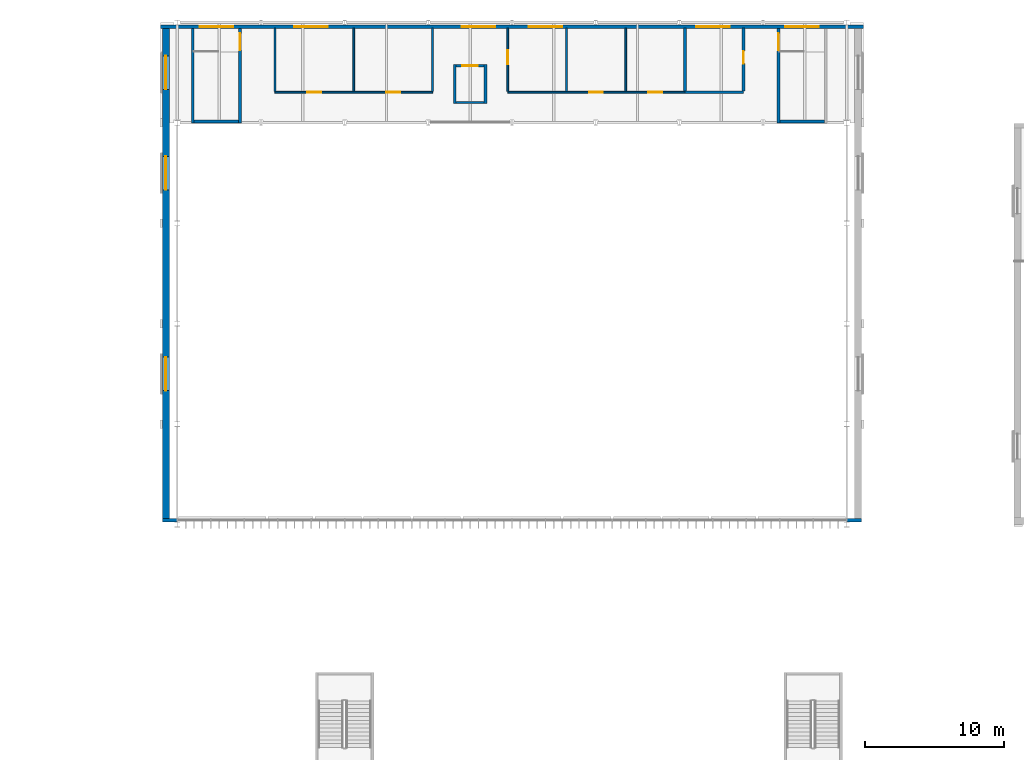
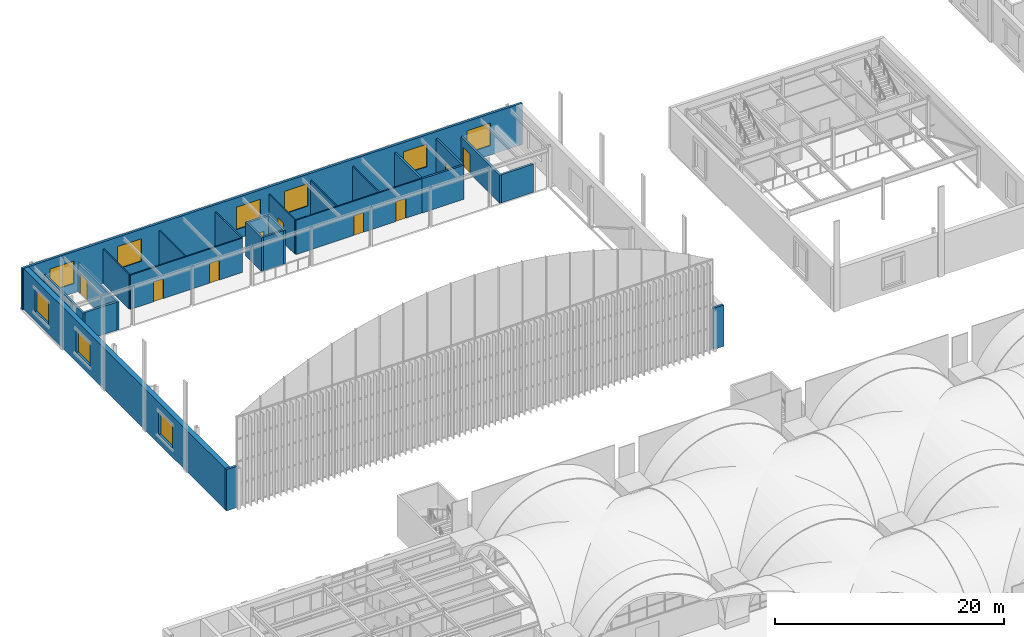
# One storey, part 100 of 169: 24 walls, 9 doors, 9 windows, 18 openings.
"""IFC4 building model written with IfcOpenShell, lengths in metres."""

from ifc_helpers import new_model, si_unit, direction, frame, frame_2d, origin, place, context, subcontext, project, spatial, rectangle, extrude, material, layer, layer_set, type_object, element, fill, save


model = new_model("IFC4")

# Units and contexts
model_context = context("Model", 3, precision=1e-05, world=origin(), true_north=direction((0.0, 1.0)))
body_context = subcontext(model_context, "Body", "Model", "MODEL_VIEW")
ifc_project = project(units=[si_unit("LENGTHUNIT", "METRE"), si_unit("AREAUNIT", "SQUARE_METRE"), si_unit("VOLUMEUNIT", "CUBIC_METRE"), si_unit("PLANEANGLEUNIT", "RADIAN"), si_unit("MASSUNIT", "GRAM", prefix="KILO")], contexts=[model_context])

# Site, building, storey
site_placement = place(None, origin())
site = spatial("IfcSite", under=ifc_project, at=site_placement, CompositionType="ELEMENT")
building_placement = place(site_placement, origin())
building = spatial("IfcBuilding", under=site, at=building_placement, Name="Verrick Yard Athletic Hall", CompositionType="ELEMENT")
storey_placement = place(building_placement, frame((0.0, 0.0, 4.39990234375)))
storey = spatial("IfcBuildingStorey", under=building, at=storey_placement, Name="L01", CompositionType="ELEMENT", Elevation=4.39990234375)

# Wall, opening, door
ifc_material_1 = material(Name="Concrete 35 MPa", Category="concrete")
ifc_layer_1 = layer(ifc_material_1, 0.199951171875)
ifc_layer_set_1 = layer_set([ifc_layer_1], Name="Enclosure wall CR200")
wall_type_1 = type_object("IfcWallType", Name="Enclosure wall CR200", PredefinedType="SOLIDWALL", material=ifc_layer_set_1)
wall_1_placement = place(storey_placement, frame((71.10009765625, 100.800048828125, 0.0), z_axis=(0.0, 0.0, 1.0), x_axis=(0.0, 1.0, 0.0)))
wall_1 = element("IfcWall", 1, at=wall_1_placement, inside=storey, type_object=wall_type_1, Name="CORE-HB-E-WW-L01", PredefinedType="SOLIDWALL", context=body_context, shape_type="SweptSolid", body=[
    extrude(rectangle(XDim=6.782958984375, YDim=0.199951171875, at=frame_2d((3.3916015625, 0.0))), origin(), (0.0, 0.0, 1.0), 3.0),
])
opening_1_placement = place(wall_1_placement, frame((5.22509765625, 0.0, 0.0)))
opening_1 = element("IfcOpeningElement", 2, at=opening_1_placement, cuts=wall_1, Name="Opening SD1", PredefinedType="OPENING", context=body_context, shape_type="SweptSolid", body=[
    extrude(rectangle(XDim=1.199951171875, YDim=2.10009765625, at=frame_2d((0.60009765625, 1.050048828125))), frame((0.0, 0.10986328125, 0.0), z_axis=(0.0, -1.0, 0.0), x_axis=(1.0, 0.0, 0.0)), (0.0, 0.0, 1.0), 0.219970703125),
])
ifc_material_2 = material(Name="Hollow metal door leaf")
door_type_1 = type_object("IfcDoorType", Name="Core door SD1 1200x2100", OperationType="NOTDEFINED", PredefinedType="DOOR", material=ifc_material_2)
door_1_placement = place(opening_1_placement, origin())
door_1 = element("IfcDoor", 3, at=door_1_placement, inside=storey, type_object=door_type_1, Name="CORE-HB-E-WW-L01-DSD1-10662", OperationType="SINGLE_SWING_RIGHT", OverallHeight=2.10009765625, OverallWidth=1.199951171875, PredefinedType="DOOR", context=body_context, shape_type="SweptSolid", body=[
    extrude(rectangle(XDim=1.199951171875, YDim=2.10009765625, at=frame_2d((0.60009765625, 1.050048828125))), frame((0.0, 0.02490234375, 0.0), z_axis=(0.0, -1.0, 0.0), x_axis=(1.0, 0.0, 0.0)), (0.0, 0.0, 1.0), 0.050048828125),
])
fill(opening_1, door_1)

# Walls
wall_2_placement = place(storey_placement, frame((71.199951171875, 100.89990234375, 0.0), z_axis=(0.0, 0.0, 1.0), x_axis=(1.0, 0.0, 0.0)))
element("IfcWall", 4, at=wall_2_placement, inside=storey, type_object=wall_type_1, Name="CORE-HB-E-WS-L01", PredefinedType="SOLIDWALL", context=body_context, shape_type="SweptSolid", body=[
    extrude(rectangle(XDim=3.199951171875, YDim=0.199951171875, at=frame_2d((1.60009765625, 0.0))), origin(), (0.0, 0.0, 1.0), 3.0),
])
wall_3_placement = place(storey_placement, frame((29.10009765625, 100.800048828125, 0.0), z_axis=(0.0, 0.0, 1.0), x_axis=(0.0, 1.0, 0.0)))
element("IfcWall", 5, at=wall_3_placement, inside=storey, type_object=wall_type_1, Name="CORE-HB-W-WW-L01", PredefinedType="SOLIDWALL", context=body_context, shape_type="SweptSolid", body=[
    extrude(rectangle(XDim=6.782958984375, YDim=0.199951171875, at=frame_2d((3.3916015625, 0.0))), origin(), (0.0, 0.0, 1.0), 3.0),
])

# Wall, opening, door
wall_4_placement = place(storey_placement, frame((32.5, 100.800048828125, 0.0), z_axis=(0.0, 0.0, 1.0), x_axis=(0.0, 1.0, 0.0)))
wall_4 = element("IfcWall", 6, at=wall_4_placement, inside=storey, type_object=wall_type_1, Name="CORE-HB-W-WE-L01", PredefinedType="SOLIDWALL", context=body_context, shape_type="SweptSolid", body=[
    extrude(rectangle(XDim=6.782958984375, YDim=0.199951171875, at=frame_2d((3.3916015625, 0.0))), origin(), (0.0, 0.0, 1.0), 3.0),
])
opening_2_placement = place(wall_4_placement, frame((5.22509765625, 0.0, 0.0)))
opening_2 = element("IfcOpeningElement", 7, at=opening_2_placement, cuts=wall_4, Name="Opening SD1", PredefinedType="OPENING", context=body_context, shape_type="SweptSolid", body=[
    extrude(rectangle(XDim=1.199951171875, YDim=2.10009765625, at=frame_2d((0.60009765625, 1.050048828125))), frame((0.0, 0.10986328125, 0.0), z_axis=(0.0, -1.0, 0.0), x_axis=(1.0, 0.0, 0.0)), (0.0, 0.0, 1.0), 0.219970703125),
])
door_2_placement = place(opening_2_placement, origin())
door_2 = element("IfcDoor", 8, at=door_2_placement, inside=storey, type_object=door_type_1, Name="CORE-HB-W-WE-L01-DSD1-10662", OperationType="SINGLE_SWING_LEFT", OverallHeight=2.10009765625, OverallWidth=1.199951171875, PredefinedType="DOOR", context=body_context, shape_type="SweptSolid", body=[
    extrude(rectangle(XDim=1.199951171875, YDim=2.10009765625, at=frame_2d((0.60009765625, 1.050048828125))), frame((0.0, 0.02490234375, 0.0), z_axis=(0.0, -1.0, 0.0), x_axis=(1.0, 0.0, 0.0)), (0.0, 0.0, 1.0), 0.050048828125),
])
fill(opening_2, door_2)

# Walls
wall_5_placement = place(storey_placement, frame((29.199951171875, 100.89990234375, 0.0), z_axis=(0.0, 0.0, 1.0), x_axis=(1.0, 0.0, 0.0)))
element("IfcWall", 9, at=wall_5_placement, inside=storey, type_object=wall_type_1, Name="CORE-HB-W-WS-L01", PredefinedType="SOLIDWALL", context=body_context, shape_type="SweptSolid", body=[
    extrude(rectangle(XDim=3.199951171875, YDim=0.199951171875, at=frame_2d((1.60009765625, 0.0))), origin(), (0.0, 0.0, 1.0), 3.0),
])
for number, where, z_axis, x_axis, name in (
    (10, (47.89990234375, 102.199951171875, 0.0), (0.0, 0.0, 1.0), (0.0, 1.0, 0.0), "CORE-LF-HB-WW-L01"),
    (11, (50.10009765625, 102.199951171875, 0.0), (0.0, 0.0, 1.0), (0.0, 1.0, 0.0), "CORE-LF-HB-WE-L01"),
):
    element("IfcWall", number, at=place(storey_placement, frame(where, z_axis=z_axis, x_axis=x_axis)), inside=storey, type_object=wall_type_1, Name=name, PredefinedType="SOLIDWALL", context=body_context, shape_type="SweptSolid", body=[
        extrude(rectangle(XDim=2.800048828125, YDim=0.199951171875, at=frame_2d((1.39990234375, 0.0))), origin(), (0.0, 0.0, 1.0), 3.60009765625),
    ])

# Wall, opening, door
wall_6_placement = place(storey_placement, frame((48.0, 104.89990234375, 0.0), z_axis=(0.0, 0.0, 1.0), x_axis=(1.0, 0.0, 0.0)))
wall_6 = element("IfcWall", 12, at=wall_6_placement, inside=storey, type_object=wall_type_1, Name="CORE-LF-HB-WN-L01", PredefinedType="SOLIDWALL", context=body_context, shape_type="SweptSolid", body=[
    extrude(rectangle(XDim=2.0, YDim=0.199951171875, at=frame_2d((1.0, 0.0))), origin(), (0.0, 0.0, 1.0), 3.60009765625),
])
opening_3_placement = place(wall_6_placement, frame((0.449951171875, 0.0, 0.0)))
opening_3 = element("IfcOpeningElement", 13, at=opening_3_placement, cuts=wall_6, Name="Opening LD", PredefinedType="OPENING", context=body_context, shape_type="SweptSolid", body=[
    extrude(rectangle(XDim=1.10009765625, YDim=2.10009765625, at=frame_2d((0.550048828125, 1.050048828125))), frame((0.0, 0.10986328125, 0.0), z_axis=(0.0, -1.0, 0.0), x_axis=(1.0, 0.0, 0.0)), (0.0, 0.0, 1.0), 0.219970703125),
])
ifc_material_3 = material(Name="Stainless steel landing door", Category="steel")
door_type_2 = type_object("IfcDoorType", Name="Lift landing door LD 1100x2100", OperationType="NOTDEFINED", PredefinedType="DOOR", material=ifc_material_3)
door_3_placement = place(opening_3_placement, origin())
door_3 = element("IfcDoor", 14, at=door_3_placement, inside=storey, type_object=door_type_2, Name="Lift landing door", OperationType="SLIDING_TO_RIGHT", OverallHeight=2.10009765625, OverallWidth=1.10009765625, PredefinedType="DOOR", context=body_context, shape_type="SweptSolid", body=[
    extrude(rectangle(XDim=1.10009765625, YDim=2.10009765625, at=frame_2d((0.550048828125, 1.050048828125))), frame((0.0, 0.02490234375, 0.0), z_axis=(0.0, -1.0, 0.0), x_axis=(1.0, 0.0, 0.0)), (0.0, 0.0, 1.0), 0.050048828125),
])
fill(opening_3, door_3)

# Walls
ifc_material_4 = material(Name="Tyndall-stone-look precast cladding", Category="masonry")
ifc_layer_2 = layer(ifc_material_4, 0.0625, Name="Tyndall-stone-look precast cladding")
ifc_material_5 = material(Name="Mineral wool insulation")
ifc_layer_3 = layer(ifc_material_5, 0.0625, Name="Mineral wool insulation")
ifc_layer_4 = layer(ifc_material_1, 0.25, Name="Concrete 35 MPa")
ifc_layer_set_2 = layer_set([ifc_layer_2, ifc_layer_3, ifc_layer_4], Name="Gable base wall")
wall_type_2 = type_object("IfcWallType", Name="Gable base wall", PredefinedType="SOLIDWALL", material=ifc_layer_set_2)
for number, where, z_axis, x_axis, name in (
    (15, (26.925048828125, 72.30126953125, 0.0), (0.0, 0.0, 1.0), (1.0, 0.0, 0.0), "ENVB-HBS-PIER-W-L01"),
    (16, (76.030029296875, 72.30126953125, 0.0), (0.0, 0.0, 1.0), (1.0, 0.0, 0.0), "ENVB-HBS-PIER-E-L01"),
):
    element("IfcWall", number, at=place(storey_placement, frame(where, z_axis=z_axis, x_axis=x_axis)), inside=storey, type_object=wall_type_2, Name=name, PredefinedType="SOLIDWALL", context=body_context, shape_type="SweptSolid", body=[
        extrude(rectangle(XDim=1.044921875, YDim=0.234375, at=frame_2d((0.5224609375, 0.0))), origin(), (0.0, 0.0, 1.0), 4.400146484375),
    ])

# Wall, openings, windows
wall_7_placement = place(storey_placement, frame((26.800048828125, 107.69873046875, 0.0), z_axis=(0.0, 0.0, 1.0), x_axis=(1.0, 0.0, 0.0)))
wall_7 = element("IfcWall", 17, at=wall_7_placement, inside=storey, type_object=wall_type_2, Name="ENVB-HB-N-L01", PredefinedType="SOLIDWALL", context=body_context, shape_type="SweptSolid", body=[
    extrude(rectangle(XDim=50.39990234375, YDim=0.234375, at=frame_2d((25.199951171875, 0.0))), origin(), (0.0, 0.0, 1.0), 4.400146484375),
])
opening_4_placement = place(wall_7_placement, frame((2.800048828125, 0.0, 1.0)))
opening_4 = element("IfcOpeningElement", 18, at=opening_4_placement, cuts=wall_7, Name="Opening W25", PredefinedType="OPENING", context=body_context, shape_type="SweptSolid", body=[
    extrude(rectangle(XDim=2.39990234375, YDim=2.39990234375, at=frame_2d((1.199951171875, 1.199951171875))), frame((0.0, 0.127197265625, 0.0), z_axis=(0.0, -1.0, 0.0), x_axis=(1.0, 0.0, 0.0)), (0.0, 0.0, 1.0), 0.25439453125),
])
opening_5_placement = place(wall_7_placement, frame((9.60009765625, 0.0, 1.0)))
opening_5 = element("IfcOpeningElement", 19, at=opening_5_placement, cuts=wall_7, Name="Opening W25", PredefinedType="OPENING", context=body_context, shape_type="SweptSolid", body=[
    extrude(rectangle(XDim=2.39990234375, YDim=2.39990234375, at=frame_2d((1.199951171875, 1.199951171875))), frame((0.0, 0.127197265625, 0.0), z_axis=(0.0, -1.0, 0.0), x_axis=(1.0, 0.0, 0.0)), (0.0, 0.0, 1.0), 0.25439453125),
])
opening_6_placement = place(wall_7_placement, frame((21.60009765625, 0.0, 1.0)))
opening_6 = element("IfcOpeningElement", 20, at=opening_6_placement, cuts=wall_7, Name="Opening W25", PredefinedType="OPENING", context=body_context, shape_type="SweptSolid", body=[
    extrude(rectangle(XDim=2.39990234375, YDim=2.39990234375, at=frame_2d((1.199951171875, 1.199951171875))), frame((0.0, 0.127197265625, 0.0), z_axis=(0.0, -1.0, 0.0), x_axis=(1.0, 0.0, 0.0)), (0.0, 0.0, 1.0), 0.25439453125),
])
opening_7_placement = place(wall_7_placement, frame((26.39990234375, 0.0, 1.0)))
opening_7 = element("IfcOpeningElement", 21, at=opening_7_placement, cuts=wall_7, Name="Opening W25", PredefinedType="OPENING", context=body_context, shape_type="SweptSolid", body=[
    extrude(rectangle(XDim=2.39990234375, YDim=2.39990234375, at=frame_2d((1.199951171875, 1.199951171875))), frame((0.0, 0.127197265625, 0.0), z_axis=(0.0, -1.0, 0.0), x_axis=(1.0, 0.0, 0.0)), (0.0, 0.0, 1.0), 0.25439453125),
])
opening_8_placement = place(wall_7_placement, frame((38.39990234375, 0.0, 1.0)))
opening_8 = element("IfcOpeningElement", 22, at=opening_8_placement, cuts=wall_7, Name="Opening W25", PredefinedType="OPENING", context=body_context, shape_type="SweptSolid", body=[
    extrude(rectangle(XDim=2.39990234375, YDim=2.39990234375, at=frame_2d((1.199951171875, 1.199951171875))), frame((0.0, 0.127197265625, 0.0), z_axis=(0.0, -1.0, 0.0), x_axis=(1.0, 0.0, 0.0)), (0.0, 0.0, 1.0), 0.25439453125),
])
opening_9_placement = place(wall_7_placement, frame((44.800048828125, 0.0, 1.0)))
opening_9 = element("IfcOpeningElement", 23, at=opening_9_placement, cuts=wall_7, Name="Opening W25", PredefinedType="OPENING", context=body_context, shape_type="SweptSolid", body=[
    extrude(rectangle(XDim=2.39990234375, YDim=2.39990234375, at=frame_2d((1.199951171875, 1.199951171875))), frame((0.0, 0.127197265625, 0.0), z_axis=(0.0, -1.0, 0.0), x_axis=(1.0, 0.0, 0.0)), (0.0, 0.0, 1.0), 0.25439453125),
])
ifc_material_6 = material(Name="Anodised aluminium frame with insulated glazing", Category="aluminium")
window_type = type_object("IfcWindowType", Name="Hall window 2400x2400", PartitioningType="NOTDEFINED", PredefinedType="WINDOW", material=ifc_material_6)
window_1_placement = place(opening_4_placement, origin())
window_1 = element("IfcWindow", 24, at=window_1_placement, inside=storey, type_object=window_type, Name="ENVB-HB-N-L01-W1", OverallHeight=2.39990234375, OverallWidth=2.39990234375, PartitioningType="SINGLE_PANEL", PredefinedType="WINDOW", context=body_context, shape_type="SweptSolid", body=[
    extrude(rectangle(XDim=2.39990234375, YDim=2.39990234375, at=frame_2d((1.199951171875, 1.199951171875))), frame((0.0, 0.030029296875, 0.0), z_axis=(0.0, -1.0, 0.0), x_axis=(1.0, 0.0, 0.0)), (0.0, 0.0, 1.0), 0.06005859375),
])
fill(opening_4, window_1)
window_2_placement = place(opening_5_placement, origin())
window_2 = element("IfcWindow", 25, at=window_2_placement, inside=storey, type_object=window_type, Name="ENVB-HB-N-L01-W2", OverallHeight=2.39990234375, OverallWidth=2.39990234375, PartitioningType="SINGLE_PANEL", PredefinedType="WINDOW", context=body_context, shape_type="SweptSolid", body=[
    extrude(rectangle(XDim=2.39990234375, YDim=2.39990234375, at=frame_2d((1.199951171875, 1.199951171875))), frame((0.0, 0.030029296875, 0.0), z_axis=(0.0, -1.0, 0.0), x_axis=(1.0, 0.0, 0.0)), (0.0, 0.0, 1.0), 0.06005859375),
])
fill(opening_5, window_2)
window_3_placement = place(opening_6_placement, origin())
window_3 = element("IfcWindow", 26, at=window_3_placement, inside=storey, type_object=window_type, Name="ENVB-HB-N-L01-W3", OverallHeight=2.39990234375, OverallWidth=2.39990234375, PartitioningType="SINGLE_PANEL", PredefinedType="WINDOW", context=body_context, shape_type="SweptSolid", body=[
    extrude(rectangle(XDim=2.39990234375, YDim=2.39990234375, at=frame_2d((1.199951171875, 1.199951171875))), frame((0.0, 0.030029296875, 0.0), z_axis=(0.0, -1.0, 0.0), x_axis=(1.0, 0.0, 0.0)), (0.0, 0.0, 1.0), 0.06005859375),
])
fill(opening_6, window_3)
window_4_placement = place(opening_7_placement, origin())
window_4 = element("IfcWindow", 27, at=window_4_placement, inside=storey, type_object=window_type, Name="ENVB-HB-N-L01-W4", OverallHeight=2.39990234375, OverallWidth=2.39990234375, PartitioningType="SINGLE_PANEL", PredefinedType="WINDOW", context=body_context, shape_type="SweptSolid", body=[
    extrude(rectangle(XDim=2.39990234375, YDim=2.39990234375, at=frame_2d((1.199951171875, 1.199951171875))), frame((0.0, 0.030029296875, 0.0), z_axis=(0.0, -1.0, 0.0), x_axis=(1.0, 0.0, 0.0)), (0.0, 0.0, 1.0), 0.06005859375),
])
fill(opening_7, window_4)
window_5_placement = place(opening_8_placement, origin())
window_5 = element("IfcWindow", 28, at=window_5_placement, inside=storey, type_object=window_type, Name="ENVB-HB-N-L01-W5", OverallHeight=2.39990234375, OverallWidth=2.39990234375, PartitioningType="SINGLE_PANEL", PredefinedType="WINDOW", context=body_context, shape_type="SweptSolid", body=[
    extrude(rectangle(XDim=2.39990234375, YDim=2.39990234375, at=frame_2d((1.199951171875, 1.199951171875))), frame((0.0, 0.030029296875, 0.0), z_axis=(0.0, -1.0, 0.0), x_axis=(1.0, 0.0, 0.0)), (0.0, 0.0, 1.0), 0.06005859375),
])
fill(opening_8, window_5)
window_6_placement = place(opening_9_placement, origin())
window_6 = element("IfcWindow", 29, at=window_6_placement, inside=storey, type_object=window_type, Name="ENVB-HB-N-L01-W6", OverallHeight=2.39990234375, OverallWidth=2.39990234375, PartitioningType="SINGLE_PANEL", PredefinedType="WINDOW", context=body_context, shape_type="SweptSolid", body=[
    extrude(rectangle(XDim=2.39990234375, YDim=2.39990234375, at=frame_2d((1.199951171875, 1.199951171875))), frame((0.0, 0.030029296875, 0.0), z_axis=(0.0, -1.0, 0.0), x_axis=(1.0, 0.0, 0.0)), (0.0, 0.0, 1.0), 0.06005859375),
])
fill(opening_9, window_6)

ifc_material_7 = material(Name="Through-coloured mineral render, warm white")
ifc_layer_5 = layer(ifc_material_7, 0.125, Name="Through-coloured mineral render, warm white")
ifc_layer_6 = layer(ifc_material_5, 0.125, Name="Mineral wool insulation")
ifc_layer_7 = layer(ifc_material_1, 0.25, Name="Concrete 35 MPa")
ifc_layer_set_3 = layer_set([ifc_layer_5, ifc_layer_6, ifc_layer_7], Name="Hall upper wall")
wall_type_3 = type_object("IfcWallType", Name="Hall upper wall", PredefinedType="SOLIDWALL", material=ifc_layer_set_3)
wall_8_placement = place(storey_placement, frame((27.175048828125, 72.41845703125, 0.0), z_axis=(0.0, 0.0, 1.0), x_axis=(0.0, 1.0, 0.0)))
wall_8 = element("IfcWall", 30, at=wall_8_placement, inside=storey, type_object=wall_type_3, Name="ENVB-HB-W-L01", PredefinedType="SOLIDWALL", context=body_context, shape_type="SweptSolid", body=[
    extrude(rectangle(XDim=35.1630859375, YDim=0.5, at=frame_2d((17.58154296875, 0.0))), origin(), (0.0, 0.0, 1.0), 4.400146484375),
])
opening_10_placement = place(wall_8_placement, frame((9.1826171875, 0.0, 1.0)))
opening_10 = element("IfcOpeningElement", 31, at=opening_10_placement, cuts=wall_8, Name="Opening W25", PredefinedType="OPENING", context=body_context, shape_type="SweptSolid", body=[
    extrude(rectangle(XDim=2.39990234375, YDim=2.39990234375, at=frame_2d((1.199951171875, 1.199951171875))), frame((0.0, 0.260009765625, 0.0), z_axis=(0.0, -1.0, 0.0), x_axis=(1.0, 0.0, 0.0)), (0.0, 0.0, 1.0), 0.52001953125),
])
opening_11_placement = place(wall_8_placement, frame((23.58251953125, 0.0, 1.0)))
opening_11 = element("IfcOpeningElement", 32, at=opening_11_placement, cuts=wall_8, Name="Opening W25", PredefinedType="OPENING", context=body_context, shape_type="SweptSolid", body=[
    extrude(rectangle(XDim=2.39990234375, YDim=2.39990234375, at=frame_2d((1.199951171875, 1.199951171875))), frame((0.0, 0.260009765625, 0.0), z_axis=(0.0, -1.0, 0.0), x_axis=(1.0, 0.0, 0.0)), (0.0, 0.0, 1.0), 0.52001953125),
])
opening_12_placement = place(wall_8_placement, frame((30.782470703125, 0.0, 1.0)))
opening_12 = element("IfcOpeningElement", 33, at=opening_12_placement, cuts=wall_8, Name="Opening W25", PredefinedType="OPENING", context=body_context, shape_type="SweptSolid", body=[
    extrude(rectangle(XDim=2.39990234375, YDim=2.39990234375, at=frame_2d((1.199951171875, 1.199951171875))), frame((0.0, 0.260009765625, 0.0), z_axis=(0.0, -1.0, 0.0), x_axis=(1.0, 0.0, 0.0)), (0.0, 0.0, 1.0), 0.52001953125),
])
window_7_placement = place(opening_10_placement, origin())
window_7 = element("IfcWindow", 34, at=window_7_placement, inside=storey, type_object=window_type, Name="ENVB-HB-W-L01-W2", OverallHeight=2.39990234375, OverallWidth=2.39990234375, PartitioningType="SINGLE_PANEL", PredefinedType="WINDOW", context=body_context, shape_type="SweptSolid", body=[
    extrude(rectangle(XDim=2.39990234375, YDim=2.39990234375, at=frame_2d((1.199951171875, 1.199951171875))), frame((0.0, 0.030029296875, 0.0), z_axis=(0.0, -1.0, 0.0), x_axis=(1.0, 0.0, 0.0)), (0.0, 0.0, 1.0), 0.06005859375),
])
fill(opening_10, window_7)
window_8_placement = place(opening_11_placement, origin())
window_8 = element("IfcWindow", 35, at=window_8_placement, inside=storey, type_object=window_type, Name="ENVB-HB-W-L01-W4", OverallHeight=2.39990234375, OverallWidth=2.39990234375, PartitioningType="SINGLE_PANEL", PredefinedType="WINDOW", context=body_context, shape_type="SweptSolid", body=[
    extrude(rectangle(XDim=2.39990234375, YDim=2.39990234375, at=frame_2d((1.199951171875, 1.199951171875))), frame((0.0, 0.030029296875, 0.0), z_axis=(0.0, -1.0, 0.0), x_axis=(1.0, 0.0, 0.0)), (0.0, 0.0, 1.0), 0.06005859375),
])
fill(opening_11, window_8)
window_9_placement = place(opening_12_placement, origin())
window_9 = element("IfcWindow", 36, at=window_9_placement, inside=storey, type_object=window_type, Name="ENVB-HB-W-L01-W5", OverallHeight=2.39990234375, OverallWidth=2.39990234375, PartitioningType="SINGLE_PANEL", PredefinedType="WINDOW", context=body_context, shape_type="SweptSolid", body=[
    extrude(rectangle(XDim=2.39990234375, YDim=2.39990234375, at=frame_2d((1.199951171875, 1.199951171875))), frame((0.0, 0.030029296875, 0.0), z_axis=(0.0, -1.0, 0.0), x_axis=(1.0, 0.0, 0.0)), (0.0, 0.0, 1.0), 0.06005859375),
])
fill(opening_12, window_9)

# Walls
ifc_material_8 = material(Name="Concrete masonry block 15 MPa", Category="masonry")
ifc_layer_8 = layer(ifc_material_8, 0.199951171875)
ifc_layer_set_4 = layer_set([ifc_layer_8], Name="PW1 Block partition 200")
wall_type_4 = type_object("IfcWallType", Name="PW1 Block partition 200", PredefinedType="PARTITIONING", material=ifc_layer_set_4)
wall_9_placement = place(storey_placement, frame((64.39990234375, 103.0, 0.0), z_axis=(0.0, 0.0, 1.0), x_axis=(1.0, 0.0, 0.0)))
element("IfcWall", 37, at=wall_9_placement, inside=storey, type_object=wall_type_4, Name="Partition PW1", PredefinedType="PARTITIONING", context=body_context, shape_type="SweptSolid", body=[
    extrude(rectangle(XDim=4.2001953125, YDim=0.199951171875, at=frame_2d((2.10009765625, 0.0))), origin(), (0.0, 0.0, 1.0), 3.650146484375),
])
wall_10_placement = place(storey_placement, frame((64.39990234375, 103.10009765625, 0.0), z_axis=(0.0, 0.0, 1.0), x_axis=(0.0, 1.0, 0.0)))
element("IfcWall", 38, at=wall_10_placement, inside=storey, type_object=wall_type_4, Name="Partition PW1", PredefinedType="PARTITIONING", context=body_context, shape_type="SweptSolid", body=[
    extrude(rectangle(XDim=4.491455078125, YDim=0.199951171875, at=frame_2d((2.24560546875, 0.0))), origin(), (0.0, 0.0, 1.0), 3.650146484375),
])

# Wall, opening, door
wall_11_placement = place(storey_placement, frame((68.60009765625, 103.10009765625, 0.0), z_axis=(0.0, 0.0, 1.0), x_axis=(0.0, 1.0, 0.0)))
wall_11 = element("IfcWall", 39, at=wall_11_placement, inside=storey, type_object=wall_type_4, Name="Partition PW1", PredefinedType="PARTITIONING", context=body_context, shape_type="SweptSolid", body=[
    extrude(rectangle(XDim=4.491455078125, YDim=0.199951171875, at=frame_2d((2.24560546875, 0.0))), origin(), (0.0, 0.0, 1.0), 3.650146484375),
])
opening_13_placement = place(wall_11_placement, frame((1.949951171875, 0.0, 0.0)))
opening_13 = element("IfcOpeningElement", 40, at=opening_13_placement, cuts=wall_11, Name="Opening D2", PredefinedType="OPENING", context=body_context, shape_type="SweptSolid", body=[
    extrude(rectangle(XDim=0.89990234375, YDim=2.10009765625, at=frame_2d((0.449951171875, 1.050048828125))), frame((0.0, 0.10986328125, 0.0), z_axis=(0.0, -1.0, 0.0), x_axis=(1.0, 0.0, 0.0)), (0.0, 0.0, 1.0), 0.219970703125),
])
ifc_material_9 = material(Name="Timber door leaf in steel frame", Category="steel")
door_type_3 = type_object("IfcDoorType", Name="D2 Single door 900 x 2100", OperationType="NOTDEFINED", PredefinedType="DOOR", material=ifc_material_9)
door_4_placement = place(opening_13_placement, origin())
door_4 = element("IfcDoor", 41, at=door_4_placement, inside=storey, type_object=door_type_3, Name="D2 Spare Equipment Store B", OperationType="SINGLE_SWING_LEFT", OverallHeight=2.10009765625, OverallWidth=0.89990234375, PredefinedType="DOOR", context=body_context, shape_type="SweptSolid", body=[
    extrude(rectangle(XDim=0.89990234375, YDim=2.10009765625, at=frame_2d((0.449951171875, 1.050048828125))), frame((0.0, 0.02490234375, 0.0), z_axis=(0.0, -1.0, 0.0), x_axis=(1.0, 0.0, 0.0)), (0.0, 0.0, 1.0), 0.050048828125),
])
fill(opening_13, door_4)

# Wall, openings, doors
ifc_material_10 = material(Name="Gypsum plasterboard on light-gauge studs")
ifc_layer_9 = layer(ifc_material_10, 0.125)
ifc_layer_set_5 = layer_set([ifc_layer_9], Name="PW2 Stud partition 125")
wall_type_5 = type_object("IfcWallType", Name="PW2 Stud partition 125", PredefinedType="PARTITIONING", material=ifc_layer_set_5)
wall_12_placement = place(storey_placement, frame((35.0, 103.0, 0.0), z_axis=(0.0, 0.0, 1.0), x_axis=(1.0, 0.0, 0.0)))
wall_12 = element("IfcWall", 42, at=wall_12_placement, inside=storey, type_object=wall_type_5, Name="Partition PW2", PredefinedType="PARTITIONING", context=body_context, shape_type="SweptSolid", body=[
    extrude(rectangle(XDim=11.300048828125, YDim=0.125, at=frame_2d((5.64990234375, 0.0))), origin(), (0.0, 0.0, 1.0), 3.650146484375),
])
opening_14_placement = place(wall_12_placement, frame((2.324951171875, 0.0, 0.0)))
opening_14 = element("IfcOpeningElement", 43, at=opening_14_placement, cuts=wall_12, Name="Opening D1", PredefinedType="OPENING", context=body_context, shape_type="SweptSolid", body=[
    extrude(rectangle(XDim=1.0, YDim=2.10009765625, at=frame_2d((0.5, 1.050048828125))), frame((0.0, 0.072509765625, 0.0), z_axis=(0.0, -1.0, 0.0), x_axis=(1.0, 0.0, 0.0)), (0.0, 0.0, 1.0), 0.14501953125),
])
opening_15_placement = place(wall_12_placement, frame((7.97509765625, 0.0, 0.0)))
opening_15 = element("IfcOpeningElement", 44, at=opening_15_placement, cuts=wall_12, Name="Opening D1", PredefinedType="OPENING", context=body_context, shape_type="SweptSolid", body=[
    extrude(rectangle(XDim=1.0, YDim=2.10009765625, at=frame_2d((0.5, 1.050048828125))), frame((0.0, 0.072509765625, 0.0), z_axis=(0.0, -1.0, 0.0), x_axis=(1.0, 0.0, 0.0)), (0.0, 0.0, 1.0), 0.14501953125),
])
door_type_4 = type_object("IfcDoorType", Name="D1 Single door 1000 x 2100", OperationType="NOTDEFINED", PredefinedType="DOOR", material=ifc_material_9)
door_5_placement = place(opening_14_placement, origin())
door_5 = element("IfcDoor", 45, at=door_5_placement, inside=storey, type_object=door_type_4, Name="D1 Timekeepers Room B", OperationType="SINGLE_SWING_RIGHT", OverallHeight=2.10009765625, OverallWidth=1.0, PredefinedType="DOOR", context=body_context, shape_type="SweptSolid", body=[
    extrude(rectangle(XDim=1.0, YDim=2.10009765625, at=frame_2d((0.5, 1.050048828125))), frame((0.0, 0.02490234375, 0.0), z_axis=(0.0, -1.0, 0.0), x_axis=(1.0, 0.0, 0.0)), (0.0, 0.0, 1.0), 0.050048828125),
])
fill(opening_14, door_5)
door_6_placement = place(opening_15_placement, origin())
door_6 = element("IfcDoor", 46, at=door_6_placement, inside=storey, type_object=door_type_4, Name="D1 Press Room B", OperationType="SINGLE_SWING_LEFT", OverallHeight=2.10009765625, OverallWidth=1.0, PredefinedType="DOOR", context=body_context, shape_type="SweptSolid", body=[
    extrude(rectangle(XDim=1.0, YDim=2.10009765625, at=frame_2d((0.5, 1.050048828125))), frame((0.0, 0.02490234375, 0.0), z_axis=(0.0, -1.0, 0.0), x_axis=(1.0, 0.0, 0.0)), (0.0, 0.0, 1.0), 0.050048828125),
])
fill(opening_15, door_6)

wall_13_placement = place(storey_placement, frame((51.699951171875, 103.0, 0.0), z_axis=(0.0, 0.0, 1.0), x_axis=(1.0, 0.0, 0.0)))
wall_13 = element("IfcWall", 47, at=wall_13_placement, inside=storey, type_object=wall_type_5, Name="Partition PW2", PredefinedType="PARTITIONING", context=body_context, shape_type="SweptSolid", body=[
    extrude(rectangle(XDim=12.699951171875, YDim=0.125, at=frame_2d((6.35009765625, 0.0))), origin(), (0.0, 0.0, 1.0), 3.650146484375),
])
opening_16_placement = place(wall_13_placement, frame((5.824951171875, 0.0, 0.0)))
opening_16 = element("IfcOpeningElement", 48, at=opening_16_placement, cuts=wall_13, Name="Opening D1", PredefinedType="OPENING", context=body_context, shape_type="SweptSolid", body=[
    extrude(rectangle(XDim=1.0, YDim=2.10009765625, at=frame_2d((0.5, 1.050048828125))), frame((0.0, 0.072509765625, 0.0), z_axis=(0.0, -1.0, 0.0), x_axis=(1.0, 0.0, 0.0)), (0.0, 0.0, 1.0), 0.14501953125),
])
opening_17_placement = place(wall_13_placement, frame((10.074951171875, 0.0, 0.0)))
opening_17 = element("IfcOpeningElement", 49, at=opening_17_placement, cuts=wall_13, Name="Opening D1", PredefinedType="OPENING", context=body_context, shape_type="SweptSolid", body=[
    extrude(rectangle(XDim=1.0, YDim=2.10009765625, at=frame_2d((0.5, 1.050048828125))), frame((0.0, 0.072509765625, 0.0), z_axis=(0.0, -1.0, 0.0), x_axis=(1.0, 0.0, 0.0)), (0.0, 0.0, 1.0), 0.14501953125),
])
door_7_placement = place(opening_16_placement, origin())
door_7 = element("IfcDoor", 50, at=door_7_placement, inside=storey, type_object=door_type_4, Name="D1 Medical Room B", OperationType="SINGLE_SWING_LEFT", OverallHeight=2.10009765625, OverallWidth=1.0, PredefinedType="DOOR", context=body_context, shape_type="SweptSolid", body=[
    extrude(rectangle(XDim=1.0, YDim=2.10009765625, at=frame_2d((0.5, 1.050048828125))), frame((0.0, 0.02490234375, 0.0), z_axis=(0.0, -1.0, 0.0), x_axis=(1.0, 0.0, 0.0)), (0.0, 0.0, 1.0), 0.050048828125),
])
fill(opening_16, door_7)
door_8_placement = place(opening_17_placement, origin())
door_8 = element("IfcDoor", 51, at=door_8_placement, inside=storey, type_object=door_type_4, Name="D1 Physiotherapy Room B", OperationType="SINGLE_SWING_RIGHT", OverallHeight=2.10009765625, OverallWidth=1.0, PredefinedType="DOOR", context=body_context, shape_type="SweptSolid", body=[
    extrude(rectangle(XDim=1.0, YDim=2.10009765625, at=frame_2d((0.5, 1.050048828125))), frame((0.0, 0.02490234375, 0.0), z_axis=(0.0, -1.0, 0.0), x_axis=(1.0, 0.0, 0.0)), (0.0, 0.0, 1.0), 0.050048828125),
])
fill(opening_17, door_8)

# Walls
for number, where, z_axis, x_axis, name in (
    (52, (35.0, 103.0625, 0.0), (0.0, 0.0, 1.0), (0.0, 1.0, 0.0), "Partition PW2"),
    (53, (40.64990234375, 103.0625, 0.0), (0.0, 0.0, 1.0), (0.0, 1.0, 0.0), "Partition PW2"),
    (54, (46.300048828125, 103.0625, 0.0), (0.0, 0.0, 1.0), (0.0, 1.0, 0.0), "Partition PW2"),
):
    element("IfcWall", number, at=place(storey_placement, frame(where, z_axis=z_axis, x_axis=x_axis)), inside=storey, type_object=wall_type_5, Name=name, PredefinedType="PARTITIONING", context=body_context, shape_type="SweptSolid", body=[
        extrude(rectangle(XDim=4.529052734375, YDim=0.125, at=frame_2d((2.2646484375, 0.0))), origin(), (0.0, 0.0, 1.0), 3.650146484375),
    ])

# Wall, opening, door
wall_14_placement = place(storey_placement, frame((51.699951171875, 103.0625, 0.0), z_axis=(0.0, 0.0, 1.0), x_axis=(0.0, 1.0, 0.0)))
wall_14 = element("IfcWall", 55, at=wall_14_placement, inside=storey, type_object=wall_type_5, Name="Partition PW2", PredefinedType="PARTITIONING", context=body_context, shape_type="SweptSolid", body=[
    extrude(rectangle(XDim=4.529052734375, YDim=0.125, at=frame_2d((2.2646484375, 0.0))), origin(), (0.0, 0.0, 1.0), 3.650146484375),
])
opening_18_placement = place(wall_14_placement, frame((1.93798828125, 0.0, 0.0)))
opening_18 = element("IfcOpeningElement", 56, at=opening_18_placement, cuts=wall_14, Name="Opening D1", PredefinedType="OPENING", context=body_context, shape_type="SweptSolid", body=[
    extrude(rectangle(XDim=1.0, YDim=2.10009765625, at=frame_2d((0.5, 1.050048828125))), frame((0.0, 0.072509765625, 0.0), z_axis=(0.0, -1.0, 0.0), x_axis=(1.0, 0.0, 0.0)), (0.0, 0.0, 1.0), 0.14501953125),
])
door_9_placement = place(opening_18_placement, origin())
door_9 = element("IfcDoor", 57, at=door_9_placement, inside=storey, type_object=door_type_4, Name="D1 Hall Control Room B", OperationType="SINGLE_SWING_LEFT", OverallHeight=2.10009765625, OverallWidth=1.0, PredefinedType="DOOR", context=body_context, shape_type="SweptSolid", body=[
    extrude(rectangle(XDim=1.0, YDim=2.10009765625, at=frame_2d((0.5, 1.050048828125))), frame((0.0, 0.02490234375, 0.0), z_axis=(0.0, -1.0, 0.0), x_axis=(1.0, 0.0, 0.0)), (0.0, 0.0, 1.0), 0.050048828125),
])
fill(opening_18, door_9)

# Walls
for number, where, z_axis, x_axis, name in (
    (58, (55.89990234375, 103.0625, 0.0), (0.0, 0.0, 1.0), (0.0, 1.0, 0.0), "Partition PW2"),
    (59, (60.14990234375, 103.0625, 0.0), (0.0, 0.0, 1.0), (0.0, 1.0, 0.0), "Partition PW2"),
):
    element("IfcWall", number, at=place(storey_placement, frame(where, z_axis=z_axis, x_axis=x_axis)), inside=storey, type_object=wall_type_5, Name=name, PredefinedType="PARTITIONING", context=body_context, shape_type="SweptSolid", body=[
        extrude(rectangle(XDim=4.529052734375, YDim=0.125, at=frame_2d((2.2646484375, 0.0))), origin(), (0.0, 0.0, 1.0), 3.650146484375),
    ])
ifc_layer_10 = layer(ifc_material_1, 0.14990234375)
ifc_layer_set_6 = layer_set([ifc_layer_10], Name="Shaft wall CR150")
wall_type_6 = type_object("IfcWallType", Name="Shaft wall CR150", PredefinedType="SOLIDWALL", material=ifc_layer_set_6)
wall_15_placement = place(storey_placement, frame((48.0, 102.27490234375, 0.0), z_axis=(0.0, 0.0, 1.0), x_axis=(1.0, 0.0, 0.0)))
element("IfcWall", 60, at=wall_15_placement, inside=storey, type_object=wall_type_6, Name="CORE-LF-HB-WS-L01", PredefinedType="SOLIDWALL", context=body_context, shape_type="SweptSolid", body=[
    extrude(rectangle(XDim=2.0, YDim=0.14990234375, at=frame_2d((1.0, 0.0))), origin(), (0.0, 0.0, 1.0), 3.60009765625),
])

save(model, "model.ifc")
